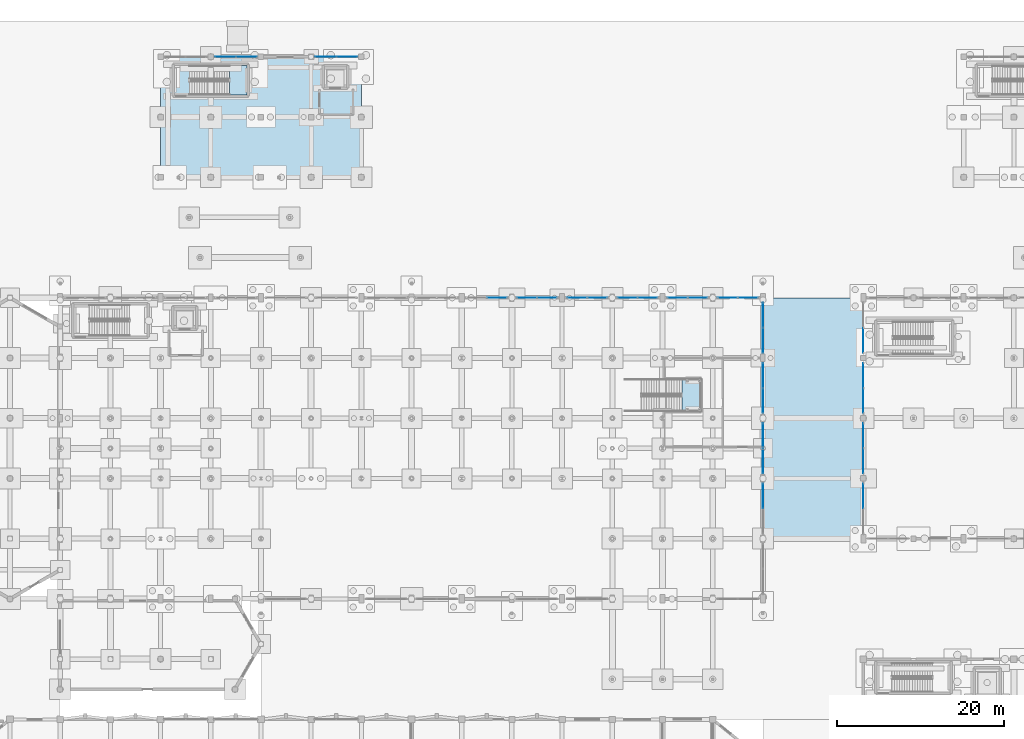
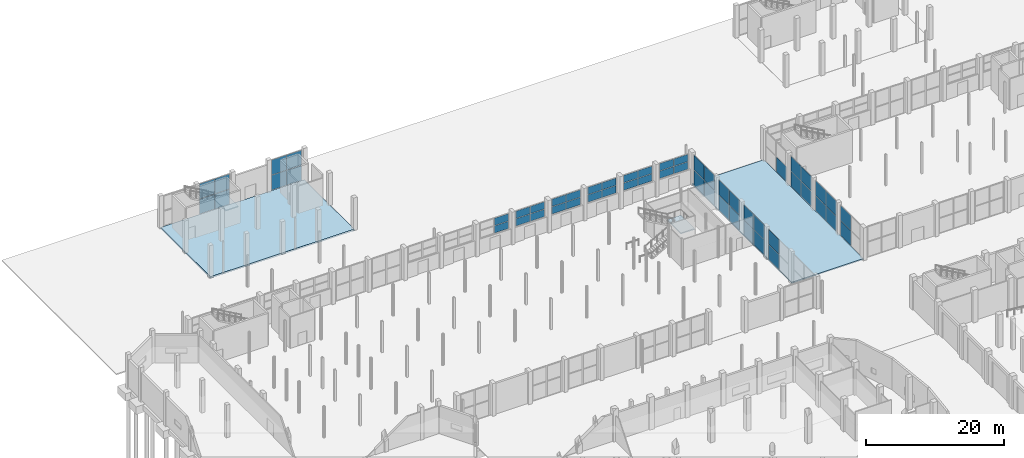
# One storey, part 72 of 103: 55 plates, 4 slabs, 18 elements without a shape of their own.
"""IFC4 building model written with IfcOpenShell, lengths in metres."""

from ifc_helpers import new_model, si_unit, direction, frame, origin, origin_2d, place, context, subcontext, project, spatial, polyline, rectangle, outline, extrude, material, layer, layer_set, type_object, element, aggregate, save


model = new_model("IFC4")

# Units and contexts
model_context = context("Model", 3, precision=1e-05, world=origin(), true_north=direction((0.0, 1.0)))
body_context = subcontext(model_context, "Body", "Model", "MODEL_VIEW")
ifc_project = project(units=[si_unit("LENGTHUNIT", "METRE"), si_unit("AREAUNIT", "SQUARE_METRE"), si_unit("VOLUMEUNIT", "CUBIC_METRE"), si_unit("PLANEANGLEUNIT", "RADIAN"), si_unit("MASSUNIT", "GRAM", prefix="KILO")], contexts=[model_context])

# Site, building, storey
site_placement = place(None, origin())
site = spatial("IfcSite", under=ifc_project, at=site_placement, CompositionType="ELEMENT")
building_placement = place(site_placement, origin())
building = spatial("IfcBuilding", under=site, at=building_placement, Name="Dunvalen Ferry Terminal", CompositionType="ELEMENT")
storey_placement = place(building_placement, origin())
storey = spatial("IfcBuildingStorey", under=building, at=storey_placement, Name="L00", CompositionType="ELEMENT", Elevation=0.0)

# Curtain wall, plates
ifc_material_1 = material(Name="Anodised marine aluminium and solar-control glazing", Category="aluminium")
ifc_layer_1 = layer(ifc_material_1, 0.219970703125, Name="Anodised marine aluminium and solar-control glazing")
ifc_layer_set_1 = layer_set([ifc_layer_1], Name="Anodised marine aluminium and solar-control glazing")
curtain_wall_type_1 = type_object("IfcCurtainWallType", Name="ENV-CW-SYS-01", PredefinedType="NOTDEFINED", material=ifc_layer_set_1)
curtain_wall_1_placement = place(storey_placement, origin())
curtain_wall_1 = element("IfcCurtainWall", 1, at=curtain_wall_1_placement, inside=storey, type_object=curtain_wall_type_1, Name="L00 Curtain Wall CW-V1N-L00-09", PredefinedType="NOTDEFINED")
ifc_material_2 = material(Name="Low-E solar-control laminated double glazing", Category="glass")
ifc_layer_2 = layer(ifc_material_2, 0.028076171875, Name="Low-E solar-control laminated double glazing")
ifc_layer_set_2 = layer_set([ifc_layer_2], Name="Low-E solar-control laminated double glazing")
plate_type = type_object("IfcPlateType", Name="ENV-CW-PNL-1", PredefinedType="CURTAIN_PANEL", material=ifc_layer_set_2)
plate_1_placement = place(storey_placement, frame((64.203857421875, 86.39990234375, 2.76513671875), z_axis=(0.0, 0.0, 1.0), x_axis=(1.0, 0.0, 0.0)))
plate_1 = element("IfcPlate", 2, at=plate_1_placement, type_object=plate_type, Name="CW-01 panel 2.1", PredefinedType="CURTAIN_PANEL", context=body_context, shape_type="SweptSolid", body=[
    extrude(rectangle(XDim=2.342529296875, YDim=0.028076171875, at=origin_2d()), origin(), (0.0, 0.0, 1.0), 1.277587890625),
])
plate_2_placement = place(storey_placement, frame((64.203857421875, 86.39990234375, 4.107421875), z_axis=(0.0, 0.0, 1.0), x_axis=(1.0, 0.0, 0.0)))
plate_2 = element("IfcPlate", 3, at=plate_2_placement, type_object=plate_type, Name="CW-01 panel 2.2", PredefinedType="CURTAIN_PANEL", context=body_context, shape_type="SweptSolid", body=[
    extrude(rectangle(XDim=2.342529296875, YDim=0.028076171875, at=origin_2d()), origin(), (0.0, 0.0, 1.0), 1.277587890625),
])
aggregate(curtain_wall_1, [plate_1, plate_2])

curtain_wall_2_placement = place(storey_placement, origin())
curtain_wall_2 = element("IfcCurtainWall", 4, at=curtain_wall_2_placement, inside=storey, type_object=curtain_wall_type_1, Name="L00 Curtain Wall CW-V1N-L00-10", PredefinedType="NOTDEFINED")
plate_3_placement = place(storey_placement, frame((67.796142578125, 86.39990234375, 2.76513671875), z_axis=(0.0, 0.0, 1.0), x_axis=(1.0, 0.0, 0.0)))
plate_3 = element("IfcPlate", 5, at=plate_3_placement, type_object=plate_type, Name="CW-01 panel 1.1", PredefinedType="CURTAIN_PANEL", context=body_context, shape_type="SweptSolid", body=[
    extrude(rectangle(XDim=2.342529296875, YDim=0.028076171875, at=origin_2d()), origin(), (0.0, 0.0, 1.0), 1.277587890625),
])
plate_4_placement = place(storey_placement, frame((67.796142578125, 86.39990234375, 4.107421875), z_axis=(0.0, 0.0, 1.0), x_axis=(1.0, 0.0, 0.0)))
plate_4 = element("IfcPlate", 6, at=plate_4_placement, type_object=plate_type, Name="CW-01 panel 1.2", PredefinedType="CURTAIN_PANEL", context=body_context, shape_type="SweptSolid", body=[
    extrude(rectangle(XDim=2.342529296875, YDim=0.028076171875, at=origin_2d()), origin(), (0.0, 0.0, 1.0), 1.277587890625),
])
plate_5_placement = place(storey_placement, frame((70.203857421875, 86.39990234375, 2.76513671875), z_axis=(0.0, 0.0, 1.0), x_axis=(1.0, 0.0, 0.0)))
plate_5 = element("IfcPlate", 7, at=plate_5_placement, type_object=plate_type, Name="CW-01 panel 2.1", PredefinedType="CURTAIN_PANEL", context=body_context, shape_type="SweptSolid", body=[
    extrude(rectangle(XDim=2.342529296875, YDim=0.028076171875, at=origin_2d()), origin(), (0.0, 0.0, 1.0), 1.277587890625),
])
plate_6_placement = place(storey_placement, frame((70.203857421875, 86.39990234375, 4.107421875), z_axis=(0.0, 0.0, 1.0), x_axis=(1.0, 0.0, 0.0)))
plate_6 = element("IfcPlate", 8, at=plate_6_placement, type_object=plate_type, Name="CW-01 panel 2.2", PredefinedType="CURTAIN_PANEL", context=body_context, shape_type="SweptSolid", body=[
    extrude(rectangle(XDim=2.342529296875, YDim=0.028076171875, at=origin_2d()), origin(), (0.0, 0.0, 1.0), 1.277587890625),
])
aggregate(curtain_wall_2, [plate_3, plate_4, plate_5, plate_6])

curtain_wall_3_placement = place(storey_placement, origin())
curtain_wall_3 = element("IfcCurtainWall", 9, at=curtain_wall_3_placement, inside=storey, type_object=curtain_wall_type_1, Name="L00 Curtain Wall CW-V1N-L00-11", PredefinedType="NOTDEFINED")
plate_7_placement = place(storey_placement, frame((73.796142578125, 86.39990234375, 2.76513671875), z_axis=(0.0, 0.0, 1.0), x_axis=(1.0, 0.0, 0.0)))
plate_7 = element("IfcPlate", 10, at=plate_7_placement, type_object=plate_type, Name="CW-01 panel 1.1", PredefinedType="CURTAIN_PANEL", context=body_context, shape_type="SweptSolid", body=[
    extrude(rectangle(XDim=2.342529296875, YDim=0.028076171875, at=origin_2d()), origin(), (0.0, 0.0, 1.0), 1.277587890625),
])
plate_8_placement = place(storey_placement, frame((73.796142578125, 86.39990234375, 4.107421875), z_axis=(0.0, 0.0, 1.0), x_axis=(1.0, 0.0, 0.0)))
plate_8 = element("IfcPlate", 11, at=plate_8_placement, type_object=plate_type, Name="CW-01 panel 1.2", PredefinedType="CURTAIN_PANEL", context=body_context, shape_type="SweptSolid", body=[
    extrude(rectangle(XDim=2.342529296875, YDim=0.028076171875, at=origin_2d()), origin(), (0.0, 0.0, 1.0), 1.277587890625),
])
plate_9_placement = place(storey_placement, frame((76.203857421875, 86.39990234375, 2.76513671875), z_axis=(0.0, 0.0, 1.0), x_axis=(1.0, 0.0, 0.0)))
plate_9 = element("IfcPlate", 12, at=plate_9_placement, type_object=plate_type, Name="CW-01 panel 2.1", PredefinedType="CURTAIN_PANEL", context=body_context, shape_type="SweptSolid", body=[
    extrude(rectangle(XDim=2.342529296875, YDim=0.028076171875, at=origin_2d()), origin(), (0.0, 0.0, 1.0), 1.277587890625),
])
plate_10_placement = place(storey_placement, frame((76.203857421875, 86.39990234375, 4.107421875), z_axis=(0.0, 0.0, 1.0), x_axis=(1.0, 0.0, 0.0)))
plate_10 = element("IfcPlate", 13, at=plate_10_placement, type_object=plate_type, Name="CW-01 panel 2.2", PredefinedType="CURTAIN_PANEL", context=body_context, shape_type="SweptSolid", body=[
    extrude(rectangle(XDim=2.342529296875, YDim=0.028076171875, at=origin_2d()), origin(), (0.0, 0.0, 1.0), 1.277587890625),
])
aggregate(curtain_wall_3, [plate_7, plate_8, plate_9, plate_10])

curtain_wall_4_placement = place(storey_placement, origin())
curtain_wall_4 = element("IfcCurtainWall", 14, at=curtain_wall_4_placement, inside=storey, type_object=curtain_wall_type_1, Name="L00 Curtain Wall CW-V1N-L00-12", PredefinedType="NOTDEFINED")
plate_11_placement = place(storey_placement, frame((79.796142578125, 86.39990234375, 2.76513671875), z_axis=(0.0, 0.0, 1.0), x_axis=(1.0, 0.0, 0.0)))
plate_11 = element("IfcPlate", 15, at=plate_11_placement, type_object=plate_type, Name="CW-01 panel 1.1", PredefinedType="CURTAIN_PANEL", context=body_context, shape_type="SweptSolid", body=[
    extrude(rectangle(XDim=2.342529296875, YDim=0.028076171875, at=origin_2d()), origin(), (0.0, 0.0, 1.0), 1.277587890625),
])
plate_12_placement = place(storey_placement, frame((79.796142578125, 86.39990234375, 4.107421875), z_axis=(0.0, 0.0, 1.0), x_axis=(1.0, 0.0, 0.0)))
plate_12 = element("IfcPlate", 16, at=plate_12_placement, type_object=plate_type, Name="CW-01 panel 1.2", PredefinedType="CURTAIN_PANEL", context=body_context, shape_type="SweptSolid", body=[
    extrude(rectangle(XDim=2.342529296875, YDim=0.028076171875, at=origin_2d()), origin(), (0.0, 0.0, 1.0), 1.277587890625),
])
plate_13_placement = place(storey_placement, frame((82.203857421875, 86.39990234375, 2.76513671875), z_axis=(0.0, 0.0, 1.0), x_axis=(1.0, 0.0, 0.0)))
plate_13 = element("IfcPlate", 17, at=plate_13_placement, type_object=plate_type, Name="CW-01 panel 2.1", PredefinedType="CURTAIN_PANEL", context=body_context, shape_type="SweptSolid", body=[
    extrude(rectangle(XDim=2.342529296875, YDim=0.028076171875, at=origin_2d()), origin(), (0.0, 0.0, 1.0), 1.277587890625),
])
plate_14_placement = place(storey_placement, frame((82.203857421875, 86.39990234375, 4.107421875), z_axis=(0.0, 0.0, 1.0), x_axis=(1.0, 0.0, 0.0)))
plate_14 = element("IfcPlate", 18, at=plate_14_placement, type_object=plate_type, Name="CW-01 panel 2.2", PredefinedType="CURTAIN_PANEL", context=body_context, shape_type="SweptSolid", body=[
    extrude(rectangle(XDim=2.342529296875, YDim=0.028076171875, at=origin_2d()), origin(), (0.0, 0.0, 1.0), 1.277587890625),
])
aggregate(curtain_wall_4, [plate_11, plate_12, plate_13, plate_14])

curtain_wall_5_placement = place(storey_placement, origin())
curtain_wall_5 = element("IfcCurtainWall", 19, at=curtain_wall_5_placement, inside=storey, type_object=curtain_wall_type_1, Name="L00 Curtain Wall CW-V1N-L00-13", PredefinedType="NOTDEFINED")
plate_15_placement = place(storey_placement, frame((85.796142578125, 86.39990234375, 2.76513671875), z_axis=(0.0, 0.0, 1.0), x_axis=(1.0, 0.0, 0.0)))
plate_15 = element("IfcPlate", 20, at=plate_15_placement, type_object=plate_type, Name="CW-01 panel 1.1", PredefinedType="CURTAIN_PANEL", context=body_context, shape_type="SweptSolid", body=[
    extrude(rectangle(XDim=2.342529296875, YDim=0.028076171875, at=origin_2d()), origin(), (0.0, 0.0, 1.0), 1.277587890625),
])
plate_16_placement = place(storey_placement, frame((85.796142578125, 86.39990234375, 4.107421875), z_axis=(0.0, 0.0, 1.0), x_axis=(1.0, 0.0, 0.0)))
plate_16 = element("IfcPlate", 21, at=plate_16_placement, type_object=plate_type, Name="CW-01 panel 1.2", PredefinedType="CURTAIN_PANEL", context=body_context, shape_type="SweptSolid", body=[
    extrude(rectangle(XDim=2.342529296875, YDim=0.028076171875, at=origin_2d()), origin(), (0.0, 0.0, 1.0), 1.277587890625),
])
plate_17_placement = place(storey_placement, frame((88.203857421875, 86.39990234375, 2.76513671875), z_axis=(0.0, 0.0, 1.0), x_axis=(1.0, 0.0, 0.0)))
plate_17 = element("IfcPlate", 22, at=plate_17_placement, type_object=plate_type, Name="CW-01 panel 2.1", PredefinedType="CURTAIN_PANEL", context=body_context, shape_type="SweptSolid", body=[
    extrude(rectangle(XDim=2.342529296875, YDim=0.028076171875, at=origin_2d()), origin(), (0.0, 0.0, 1.0), 1.277587890625),
])
plate_18_placement = place(storey_placement, frame((88.203857421875, 86.39990234375, 4.107421875), z_axis=(0.0, 0.0, 1.0), x_axis=(1.0, 0.0, 0.0)))
plate_18 = element("IfcPlate", 23, at=plate_18_placement, type_object=plate_type, Name="CW-01 panel 2.2", PredefinedType="CURTAIN_PANEL", context=body_context, shape_type="SweptSolid", body=[
    extrude(rectangle(XDim=2.342529296875, YDim=0.028076171875, at=origin_2d()), origin(), (0.0, 0.0, 1.0), 1.277587890625),
])
aggregate(curtain_wall_5, [plate_15, plate_16, plate_17, plate_18])

curtain_wall_6_placement = place(storey_placement, origin())
curtain_wall_6 = element("IfcCurtainWall", 24, at=curtain_wall_6_placement, inside=storey, type_object=curtain_wall_type_1, Name="L00 Curtain Wall CW-V1N-L00-14", PredefinedType="NOTDEFINED")
plate_19_placement = place(storey_placement, frame((91.796142578125, 86.39990234375, 2.76513671875), z_axis=(0.0, 0.0, 1.0), x_axis=(1.0, 0.0, 0.0)))
plate_19 = element("IfcPlate", 25, at=plate_19_placement, type_object=plate_type, Name="CW-01 panel 1.1", PredefinedType="CURTAIN_PANEL", context=body_context, shape_type="SweptSolid", body=[
    extrude(rectangle(XDim=2.342529296875, YDim=0.028076171875, at=origin_2d()), origin(), (0.0, 0.0, 1.0), 1.277587890625),
])
plate_20_placement = place(storey_placement, frame((91.796142578125, 86.39990234375, 4.107421875), z_axis=(0.0, 0.0, 1.0), x_axis=(1.0, 0.0, 0.0)))
plate_20 = element("IfcPlate", 26, at=plate_20_placement, type_object=plate_type, Name="CW-01 panel 1.2", PredefinedType="CURTAIN_PANEL", context=body_context, shape_type="SweptSolid", body=[
    extrude(rectangle(XDim=2.342529296875, YDim=0.028076171875, at=origin_2d()), origin(), (0.0, 0.0, 1.0), 1.277587890625),
])
plate_21_placement = place(storey_placement, frame((94.203857421875, 86.39990234375, 2.76513671875), z_axis=(0.0, 0.0, 1.0), x_axis=(1.0, 0.0, 0.0)))
plate_21 = element("IfcPlate", 27, at=plate_21_placement, type_object=plate_type, Name="CW-01 panel 2.1", PredefinedType="CURTAIN_PANEL", context=body_context, shape_type="SweptSolid", body=[
    extrude(rectangle(XDim=2.342529296875, YDim=0.028076171875, at=origin_2d()), origin(), (0.0, 0.0, 1.0), 1.277587890625),
])
plate_22_placement = place(storey_placement, frame((94.203857421875, 86.39990234375, 4.107421875), z_axis=(0.0, 0.0, 1.0), x_axis=(1.0, 0.0, 0.0)))
plate_22 = element("IfcPlate", 28, at=plate_22_placement, type_object=plate_type, Name="CW-01 panel 2.2", PredefinedType="CURTAIN_PANEL", context=body_context, shape_type="SweptSolid", body=[
    extrude(rectangle(XDim=2.342529296875, YDim=0.028076171875, at=origin_2d()), origin(), (0.0, 0.0, 1.0), 1.277587890625),
])
aggregate(curtain_wall_6, [plate_19, plate_20, plate_21, plate_22])

ifc_layer_3 = layer(ifc_material_1, 0.219970703125, Name="Anodised marine aluminium and solar-control glazing")
ifc_layer_set_3 = layer_set([ifc_layer_3], Name="Anodised marine aluminium and solar-control glazing")
curtain_wall_type_2 = type_object("IfcCurtainWallType", Name="ENV-CW-SYS-03", PredefinedType="NOTDEFINED", material=ifc_layer_set_3)
curtain_wall_7_placement = place(storey_placement, origin())
curtain_wall_7 = element("IfcCurtainWall", 29, at=curtain_wall_7_placement, inside=storey, type_object=curtain_wall_type_2, Name="L00 Curtain Wall CW-V1E-L00-02", PredefinedType="NOTDEFINED")
plate_23_placement = place(storey_placement, frame((96.0, 62.703857421875, 0.06494140625), z_axis=(0.0, 0.0, 1.0), x_axis=(0.0, 1.0, 0.0)))
plate_23 = element("IfcPlate", 30, at=plate_23_placement, type_object=plate_type, Name="CW-03 panel 2.1", PredefinedType="CURTAIN_PANEL", context=body_context, shape_type="SweptSolid", body=[
    extrude(rectangle(XDim=2.9423828125, YDim=0.028076171875, at=origin_2d()), origin(), (0.0, 0.0, 1.0), 2.62744140625),
])
plate_24_placement = place(storey_placement, frame((96.0, 62.703857421875, 2.757568359375), z_axis=(0.0, 0.0, 1.0), x_axis=(0.0, 1.0, 0.0)))
plate_24 = element("IfcPlate", 31, at=plate_24_placement, type_object=plate_type, Name="CW-03 panel 2.2", PredefinedType="CURTAIN_PANEL", context=body_context, shape_type="SweptSolid", body=[
    extrude(rectangle(XDim=2.9423828125, YDim=0.028076171875, at=origin_2d()), origin(), (0.0, 0.0, 1.0), 2.62744140625),
])
aggregate(curtain_wall_7, [plate_23, plate_24])

curtain_wall_8_placement = place(storey_placement, origin())
curtain_wall_8 = element("IfcCurtainWall", 32, at=curtain_wall_8_placement, inside=storey, type_object=curtain_wall_type_2, Name="L00 Curtain Wall CW-V1E-L00-03", PredefinedType="NOTDEFINED")
plate_25_placement = place(storey_placement, frame((96.0, 66.896240234375, 0.06494140625), z_axis=(0.0, 0.0, 1.0), x_axis=(0.0, 1.0, 0.0)))
plate_25 = element("IfcPlate", 33, at=plate_25_placement, type_object=plate_type, Name="CW-03 panel 1.1", PredefinedType="CURTAIN_PANEL", context=body_context, shape_type="SweptSolid", body=[
    extrude(rectangle(XDim=2.9423828125, YDim=0.028076171875, at=origin_2d()), origin(), (0.0, 0.0, 1.0), 2.62744140625),
])
plate_26_placement = place(storey_placement, frame((96.0, 66.896240234375, 2.757568359375), z_axis=(0.0, 0.0, 1.0), x_axis=(0.0, 1.0, 0.0)))
plate_26 = element("IfcPlate", 34, at=plate_26_placement, type_object=plate_type, Name="CW-03 panel 1.2", PredefinedType="CURTAIN_PANEL", context=body_context, shape_type="SweptSolid", body=[
    extrude(rectangle(XDim=2.9423828125, YDim=0.028076171875, at=origin_2d()), origin(), (0.0, 0.0, 1.0), 2.62744140625),
])
plate_27_placement = place(storey_placement, frame((96.0, 69.90380859375, 0.06494140625), z_axis=(0.0, 0.0, 1.0), x_axis=(0.0, 1.0, 0.0)))
plate_27 = element("IfcPlate", 35, at=plate_27_placement, type_object=plate_type, Name="CW-03 panel 2.1", PredefinedType="CURTAIN_PANEL", context=body_context, shape_type="SweptSolid", body=[
    extrude(rectangle(XDim=2.9423828125, YDim=0.028076171875, at=origin_2d()), origin(), (0.0, 0.0, 1.0), 2.62744140625),
])
plate_28_placement = place(storey_placement, frame((96.0, 69.90380859375, 2.757568359375), z_axis=(0.0, 0.0, 1.0), x_axis=(0.0, 1.0, 0.0)))
plate_28 = element("IfcPlate", 36, at=plate_28_placement, type_object=plate_type, Name="CW-03 panel 2.2", PredefinedType="CURTAIN_PANEL", context=body_context, shape_type="SweptSolid", body=[
    extrude(rectangle(XDim=2.9423828125, YDim=0.028076171875, at=origin_2d()), origin(), (0.0, 0.0, 1.0), 2.62744140625),
])
aggregate(curtain_wall_8, [plate_25, plate_26, plate_27, plate_28])

curtain_wall_9_placement = place(storey_placement, origin())
curtain_wall_9 = element("IfcCurtainWall", 37, at=curtain_wall_9_placement, inside=storey, type_object=curtain_wall_type_2, Name="L00 Curtain Wall CW-V1E-L00-04", PredefinedType="NOTDEFINED")
plate_29_placement = place(storey_placement, frame((96.0, 74.09619140625, 0.06494140625), z_axis=(0.0, 0.0, 1.0), x_axis=(0.0, 1.0, 0.0)))
plate_29 = element("IfcPlate", 38, at=plate_29_placement, type_object=plate_type, Name="CW-03 panel 1.1", PredefinedType="CURTAIN_PANEL", context=body_context, shape_type="SweptSolid", body=[
    extrude(rectangle(XDim=2.9423828125, YDim=0.028076171875, at=origin_2d()), origin(), (0.0, 0.0, 1.0), 2.62744140625),
])
plate_30_placement = place(storey_placement, frame((96.0, 74.09619140625, 2.757568359375), z_axis=(0.0, 0.0, 1.0), x_axis=(0.0, 1.0, 0.0)))
plate_30 = element("IfcPlate", 39, at=plate_30_placement, type_object=plate_type, Name="CW-03 panel 1.2", PredefinedType="CURTAIN_PANEL", context=body_context, shape_type="SweptSolid", body=[
    extrude(rectangle(XDim=2.9423828125, YDim=0.028076171875, at=origin_2d()), origin(), (0.0, 0.0, 1.0), 2.62744140625),
])
plate_31_placement = place(storey_placement, frame((96.0, 77.103759765625, 0.06494140625), z_axis=(0.0, 0.0, 1.0), x_axis=(0.0, 1.0, 0.0)))
plate_31 = element("IfcPlate", 40, at=plate_31_placement, type_object=plate_type, Name="CW-03 panel 2.1", PredefinedType="CURTAIN_PANEL", context=body_context, shape_type="SweptSolid", body=[
    extrude(rectangle(XDim=2.9423828125, YDim=0.028076171875, at=origin_2d()), origin(), (0.0, 0.0, 1.0), 2.62744140625),
])
plate_32_placement = place(storey_placement, frame((96.0, 77.103759765625, 2.757568359375), z_axis=(0.0, 0.0, 1.0), x_axis=(0.0, 1.0, 0.0)))
plate_32 = element("IfcPlate", 41, at=plate_32_placement, type_object=plate_type, Name="CW-03 panel 2.2", PredefinedType="CURTAIN_PANEL", context=body_context, shape_type="SweptSolid", body=[
    extrude(rectangle(XDim=2.9423828125, YDim=0.028076171875, at=origin_2d()), origin(), (0.0, 0.0, 1.0), 2.62744140625),
])
aggregate(curtain_wall_9, [plate_29, plate_30, plate_31, plate_32])

curtain_wall_10_placement = place(storey_placement, origin())
curtain_wall_10 = element("IfcCurtainWall", 42, at=curtain_wall_10_placement, inside=storey, type_object=curtain_wall_type_2, Name="L00 Curtain Wall CW-V1E-L00-05", PredefinedType="NOTDEFINED")
plate_33_placement = place(storey_placement, frame((96.0, 81.296142578125, 0.06494140625), z_axis=(0.0, 0.0, 1.0), x_axis=(0.0, 1.0, 0.0)))
plate_33 = element("IfcPlate", 43, at=plate_33_placement, type_object=plate_type, Name="CW-03 panel 1.1", PredefinedType="CURTAIN_PANEL", context=body_context, shape_type="SweptSolid", body=[
    extrude(rectangle(XDim=2.9423828125, YDim=0.028076171875, at=origin_2d()), origin(), (0.0, 0.0, 1.0), 2.62744140625),
])
plate_34_placement = place(storey_placement, frame((96.0, 81.296142578125, 2.757568359375), z_axis=(0.0, 0.0, 1.0), x_axis=(0.0, 1.0, 0.0)))
plate_34 = element("IfcPlate", 44, at=plate_34_placement, type_object=plate_type, Name="CW-03 panel 1.2", PredefinedType="CURTAIN_PANEL", context=body_context, shape_type="SweptSolid", body=[
    extrude(rectangle(XDim=2.9423828125, YDim=0.028076171875, at=origin_2d()), origin(), (0.0, 0.0, 1.0), 2.62744140625),
])
plate_35_placement = place(storey_placement, frame((96.0, 84.3037109375, 0.06494140625), z_axis=(0.0, 0.0, 1.0), x_axis=(0.0, 1.0, 0.0)))
plate_35 = element("IfcPlate", 45, at=plate_35_placement, type_object=plate_type, Name="CW-03 panel 2.1", PredefinedType="CURTAIN_PANEL", context=body_context, shape_type="SweptSolid", body=[
    extrude(rectangle(XDim=2.9423828125, YDim=0.028076171875, at=origin_2d()), origin(), (0.0, 0.0, 1.0), 2.62744140625),
])
plate_36_placement = place(storey_placement, frame((96.0, 84.3037109375, 2.757568359375), z_axis=(0.0, 0.0, 1.0), x_axis=(0.0, 1.0, 0.0)))
plate_36 = element("IfcPlate", 46, at=plate_36_placement, type_object=plate_type, Name="CW-03 panel 2.2", PredefinedType="CURTAIN_PANEL", context=body_context, shape_type="SweptSolid", body=[
    extrude(rectangle(XDim=2.9423828125, YDim=0.028076171875, at=origin_2d()), origin(), (0.0, 0.0, 1.0), 2.62744140625),
])
aggregate(curtain_wall_10, [plate_33, plate_34, plate_35, plate_36])

curtain_wall_11_placement = place(storey_placement, origin())
curtain_wall_11 = element("IfcCurtainWall", 47, at=curtain_wall_11_placement, inside=storey, type_object=curtain_wall_type_2, Name="L00 Curtain Wall CW-V2W-L00-1", PredefinedType="NOTDEFINED")
plate_37_placement = place(storey_placement, frame((108.0, 62.703857421875, 0.06494140625), z_axis=(0.0, 0.0, 1.0), x_axis=(0.0, 1.0, 0.0)))
plate_37 = element("IfcPlate", 48, at=plate_37_placement, type_object=plate_type, Name="CW-03 panel 2.1", PredefinedType="CURTAIN_PANEL", context=body_context, shape_type="SweptSolid", body=[
    extrude(rectangle(XDim=2.9423828125, YDim=0.028076171875, at=origin_2d()), origin(), (0.0, 0.0, 1.0), 2.62744140625),
])
plate_38_placement = place(storey_placement, frame((108.0, 62.703857421875, 2.757568359375), z_axis=(0.0, 0.0, 1.0), x_axis=(0.0, 1.0, 0.0)))
plate_38 = element("IfcPlate", 49, at=plate_38_placement, type_object=plate_type, Name="CW-03 panel 2.2", PredefinedType="CURTAIN_PANEL", context=body_context, shape_type="SweptSolid", body=[
    extrude(rectangle(XDim=2.9423828125, YDim=0.028076171875, at=origin_2d()), origin(), (0.0, 0.0, 1.0), 2.62744140625),
])
aggregate(curtain_wall_11, [plate_37, plate_38])

curtain_wall_12_placement = place(storey_placement, origin())
curtain_wall_12 = element("IfcCurtainWall", 50, at=curtain_wall_12_placement, inside=storey, type_object=curtain_wall_type_2, Name="L00 Curtain Wall CW-V2W-L00-2", PredefinedType="NOTDEFINED")
plate_39_placement = place(storey_placement, frame((108.0, 66.896240234375, 0.06494140625), z_axis=(0.0, 0.0, 1.0), x_axis=(0.0, 1.0, 0.0)))
plate_39 = element("IfcPlate", 51, at=plate_39_placement, type_object=plate_type, Name="CW-03 panel 1.1", PredefinedType="CURTAIN_PANEL", context=body_context, shape_type="SweptSolid", body=[
    extrude(rectangle(XDim=2.9423828125, YDim=0.028076171875, at=origin_2d()), origin(), (0.0, 0.0, 1.0), 2.62744140625),
])
plate_40_placement = place(storey_placement, frame((108.0, 66.896240234375, 2.757568359375), z_axis=(0.0, 0.0, 1.0), x_axis=(0.0, 1.0, 0.0)))
plate_40 = element("IfcPlate", 52, at=plate_40_placement, type_object=plate_type, Name="CW-03 panel 1.2", PredefinedType="CURTAIN_PANEL", context=body_context, shape_type="SweptSolid", body=[
    extrude(rectangle(XDim=2.9423828125, YDim=0.028076171875, at=origin_2d()), origin(), (0.0, 0.0, 1.0), 2.62744140625),
])
plate_41_placement = place(storey_placement, frame((108.0, 69.90380859375, 0.06494140625), z_axis=(0.0, 0.0, 1.0), x_axis=(0.0, 1.0, 0.0)))
plate_41 = element("IfcPlate", 53, at=plate_41_placement, type_object=plate_type, Name="CW-03 panel 2.1", PredefinedType="CURTAIN_PANEL", context=body_context, shape_type="SweptSolid", body=[
    extrude(rectangle(XDim=2.9423828125, YDim=0.028076171875, at=origin_2d()), origin(), (0.0, 0.0, 1.0), 2.62744140625),
])
plate_42_placement = place(storey_placement, frame((108.0, 69.90380859375, 2.757568359375), z_axis=(0.0, 0.0, 1.0), x_axis=(0.0, 1.0, 0.0)))
plate_42 = element("IfcPlate", 54, at=plate_42_placement, type_object=plate_type, Name="CW-03 panel 2.2", PredefinedType="CURTAIN_PANEL", context=body_context, shape_type="SweptSolid", body=[
    extrude(rectangle(XDim=2.9423828125, YDim=0.028076171875, at=origin_2d()), origin(), (0.0, 0.0, 1.0), 2.62744140625),
])
aggregate(curtain_wall_12, [plate_39, plate_40, plate_41, plate_42])

curtain_wall_13_placement = place(storey_placement, origin())
curtain_wall_13 = element("IfcCurtainWall", 55, at=curtain_wall_13_placement, inside=storey, type_object=curtain_wall_type_2, Name="L00 Curtain Wall CW-V2W-L00-3", PredefinedType="NOTDEFINED")
plate_43_placement = place(storey_placement, frame((108.0, 74.09619140625, 0.06494140625), z_axis=(0.0, 0.0, 1.0), x_axis=(0.0, 1.0, 0.0)))
plate_43 = element("IfcPlate", 56, at=plate_43_placement, type_object=plate_type, Name="CW-03 panel 1.1", PredefinedType="CURTAIN_PANEL", context=body_context, shape_type="SweptSolid", body=[
    extrude(rectangle(XDim=2.9423828125, YDim=0.028076171875, at=origin_2d()), origin(), (0.0, 0.0, 1.0), 2.62744140625),
])
plate_44_placement = place(storey_placement, frame((108.0, 74.09619140625, 2.757568359375), z_axis=(0.0, 0.0, 1.0), x_axis=(0.0, 1.0, 0.0)))
plate_44 = element("IfcPlate", 57, at=plate_44_placement, type_object=plate_type, Name="CW-03 panel 1.2", PredefinedType="CURTAIN_PANEL", context=body_context, shape_type="SweptSolid", body=[
    extrude(rectangle(XDim=2.9423828125, YDim=0.028076171875, at=origin_2d()), origin(), (0.0, 0.0, 1.0), 2.62744140625),
])
plate_45_placement = place(storey_placement, frame((108.0, 77.103759765625, 0.06494140625), z_axis=(0.0, 0.0, 1.0), x_axis=(0.0, 1.0, 0.0)))
plate_45 = element("IfcPlate", 58, at=plate_45_placement, type_object=plate_type, Name="CW-03 panel 2.1", PredefinedType="CURTAIN_PANEL", context=body_context, shape_type="SweptSolid", body=[
    extrude(rectangle(XDim=2.9423828125, YDim=0.028076171875, at=origin_2d()), origin(), (0.0, 0.0, 1.0), 2.62744140625),
])
plate_46_placement = place(storey_placement, frame((108.0, 77.103759765625, 2.757568359375), z_axis=(0.0, 0.0, 1.0), x_axis=(0.0, 1.0, 0.0)))
plate_46 = element("IfcPlate", 59, at=plate_46_placement, type_object=plate_type, Name="CW-03 panel 2.2", PredefinedType="CURTAIN_PANEL", context=body_context, shape_type="SweptSolid", body=[
    extrude(rectangle(XDim=2.9423828125, YDim=0.028076171875, at=origin_2d()), origin(), (0.0, 0.0, 1.0), 2.62744140625),
])
aggregate(curtain_wall_13, [plate_43, plate_44, plate_45, plate_46])

# Curtain wall, plate
curtain_wall_14_placement = place(storey_placement, origin())
curtain_wall_14 = element("IfcCurtainWall", 60, at=curtain_wall_14_placement, inside=storey, type_object=curtain_wall_type_2, Name="L00 Curtain Wall CW-V2W-L00-4", PredefinedType="NOTDEFINED")
plate_47_placement = place(storey_placement, frame((108.0, 81.296142578125, 0.06494140625), z_axis=(0.0, 0.0, 1.0), x_axis=(0.0, 1.0, 0.0)))
plate_47 = element("IfcPlate", 61, at=plate_47_placement, type_object=plate_type, Name="CW-03 panel 1.1", PredefinedType="CURTAIN_PANEL", context=body_context, shape_type="SweptSolid", body=[
    extrude(rectangle(XDim=2.9423828125, YDim=0.028076171875, at=origin_2d()), origin(), (0.0, 0.0, 1.0), 2.62744140625),
])
aggregate(curtain_wall_14, [plate_47])

# Curtain wall, plates
ifc_layer_4 = layer(ifc_material_1, 0.159912109375, Name="Anodised marine aluminium and solar-control glazing")
ifc_layer_set_4 = layer_set([ifc_layer_4], Name="Anodised marine aluminium and solar-control glazing")
curtain_wall_type_3 = type_object("IfcCurtainWallType", Name="ENV-CW-SYS-09", PredefinedType="NOTDEFINED", material=ifc_layer_set_4)
curtain_wall_15_placement = place(storey_placement, origin())
curtain_wall_15 = element("IfcCurtainWall", 62, at=curtain_wall_15_placement, inside=storey, type_object=curtain_wall_type_3, Name="L00 Curtain Wall CW-BRT1-N-L00-2", PredefinedType="NOTDEFINED")
plate_48_placement = place(storey_placement, frame((31.739990234375, 115.199951171875, 0.06005859375), z_axis=(0.0, 0.0, 1.0), x_axis=(1.0, 0.0, 0.0)))
plate_48 = element("IfcPlate", 63, at=plate_48_placement, type_object=plate_type, Name="CW-09 panel 1.1", PredefinedType="CURTAIN_PANEL", context=body_context, shape_type="SweptSolid", body=[
    extrude(rectangle(XDim=2.4599609375, YDim=0.028076171875, at=origin_2d()), origin(), (0.0, 0.0, 1.0), 2.635009765625),
])
plate_49_placement = place(storey_placement, frame((31.739990234375, 115.199951171875, 2.7548828125), z_axis=(0.0, 0.0, 1.0), x_axis=(1.0, 0.0, 0.0)))
plate_49 = element("IfcPlate", 64, at=plate_49_placement, type_object=plate_type, Name="CW-09 panel 1.2", PredefinedType="CURTAIN_PANEL", context=body_context, shape_type="SweptSolid", body=[
    extrude(rectangle(XDim=2.4599609375, YDim=0.028076171875, at=origin_2d()), origin(), (0.0, 0.0, 1.0), 2.635009765625),
])
plate_50_placement = place(storey_placement, frame((34.260009765625, 115.199951171875, 0.06005859375), z_axis=(0.0, 0.0, 1.0), x_axis=(1.0, 0.0, 0.0)))
plate_50 = element("IfcPlate", 65, at=plate_50_placement, type_object=plate_type, Name="CW-09 panel 2.1", PredefinedType="CURTAIN_PANEL", context=body_context, shape_type="SweptSolid", body=[
    extrude(rectangle(XDim=2.4599609375, YDim=0.028076171875, at=origin_2d()), origin(), (0.0, 0.0, 1.0), 2.635009765625),
])
plate_51_placement = place(storey_placement, frame((34.260009765625, 115.199951171875, 2.7548828125), z_axis=(0.0, 0.0, 1.0), x_axis=(1.0, 0.0, 0.0)))
plate_51 = element("IfcPlate", 66, at=plate_51_placement, type_object=plate_type, Name="CW-09 panel 2.2", PredefinedType="CURTAIN_PANEL", context=body_context, shape_type="SweptSolid", body=[
    extrude(rectangle(XDim=2.4599609375, YDim=0.028076171875, at=origin_2d()), origin(), (0.0, 0.0, 1.0), 2.635009765625),
])
aggregate(curtain_wall_15, [plate_48, plate_49, plate_50, plate_51])

curtain_wall_16_placement = place(storey_placement, origin())
curtain_wall_16 = element("IfcCurtainWall", 67, at=curtain_wall_16_placement, inside=storey, type_object=curtain_wall_type_3, Name="L00 Curtain Wall CW-BRT1-N-L00-4", PredefinedType="NOTDEFINED")
plate_52_placement = place(storey_placement, frame((43.739990234375, 115.199951171875, 0.06005859375), z_axis=(0.0, 0.0, 1.0), x_axis=(1.0, 0.0, 0.0)))
plate_52 = element("IfcPlate", 68, at=plate_52_placement, type_object=plate_type, Name="CW-09 panel 1.1", PredefinedType="CURTAIN_PANEL", context=body_context, shape_type="SweptSolid", body=[
    extrude(rectangle(XDim=2.4599609375, YDim=0.028076171875, at=origin_2d()), origin(), (0.0, 0.0, 1.0), 2.635009765625),
])
plate_53_placement = place(storey_placement, frame((43.739990234375, 115.199951171875, 2.7548828125), z_axis=(0.0, 0.0, 1.0), x_axis=(1.0, 0.0, 0.0)))
plate_53 = element("IfcPlate", 69, at=plate_53_placement, type_object=plate_type, Name="CW-09 panel 1.2", PredefinedType="CURTAIN_PANEL", context=body_context, shape_type="SweptSolid", body=[
    extrude(rectangle(XDim=2.4599609375, YDim=0.028076171875, at=origin_2d()), origin(), (0.0, 0.0, 1.0), 2.635009765625),
])
plate_54_placement = place(storey_placement, frame((46.260009765625, 115.199951171875, 0.06005859375), z_axis=(0.0, 0.0, 1.0), x_axis=(1.0, 0.0, 0.0)))
plate_54 = element("IfcPlate", 70, at=plate_54_placement, type_object=plate_type, Name="CW-09 panel 2.1", PredefinedType="CURTAIN_PANEL", context=body_context, shape_type="SweptSolid", body=[
    extrude(rectangle(XDim=2.4599609375, YDim=0.028076171875, at=origin_2d()), origin(), (0.0, 0.0, 1.0), 2.635009765625),
])
plate_55_placement = place(storey_placement, frame((46.260009765625, 115.199951171875, 2.7548828125), z_axis=(0.0, 0.0, 1.0), x_axis=(1.0, 0.0, 0.0)))
plate_55 = element("IfcPlate", 71, at=plate_55_placement, type_object=plate_type, Name="CW-09 panel 2.2", PredefinedType="CURTAIN_PANEL", context=body_context, shape_type="SweptSolid", body=[
    extrude(rectangle(XDim=2.4599609375, YDim=0.028076171875, at=origin_2d()), origin(), (0.0, 0.0, 1.0), 2.635009765625),
])
aggregate(curtain_wall_16, [plate_52, plate_53, plate_54, plate_55])

# Stair, slab
ifc_material_3 = material(Name="Concrete C35/45", Category="concrete")
stair_type_1 = type_object("IfcStairType", Name="INT-ST-DLG-06", PredefinedType="HALF_TURN_STAIR", material=ifc_material_3)
stair_1_placement = place(storey_placement, origin())
stair_1 = element("IfcStair", 72, at=stair_1_placement, inside=storey, type_object=stair_type_1, Name="L00 Berth 1 Pavilion Escape Stair 11", PredefinedType="HALF_TURN_STAIR")
ifc_layer_5 = layer(ifc_material_3, 0.199951171875, Name="Concrete C35/45")
ifc_layer_set_5 = layer_set([ifc_layer_5], Name="Concrete C35/45")
slab_type_1 = type_object("IfcSlabType", Name="INT-SLB-LND200", PredefinedType="LANDING", material=ifc_layer_set_5)
slab_1_placement = place(storey_placement, frame((0.0, 0.0, 2.679931640625)))
slab_1 = element("IfcSlab", 73, at=slab_1_placement, type_object=slab_type_1, Name="ST11 landing 1", PredefinedType="LANDING", context=body_context, shape_type="SweptSolid", body=[
    extrude(outline(polyline([(32.25, 110.64990234375), (34.35009765625, 110.64990234375), (34.35009765625, 114.14990234375), (32.25, 114.14990234375), (32.25, 110.64990234375)])), origin(), (0.0, 0.0, 1.0), 0.199951171875),
])
aggregate(stair_1, [slab_1])

stair_type_2 = type_object("IfcStairType", Name="INT-ST-DLG-09", PredefinedType="HALF_TURN_STAIR", material=ifc_material_3)
stair_2_placement = place(storey_placement, origin())
stair_2 = element("IfcStair", 74, at=stair_2_placement, inside=storey, type_object=stair_type_2, Name="L00 Departure Concourse Feature Stair 8", PredefinedType="HALF_TURN_STAIR")
ifc_material_4 = material(Name="Concrete C40/50", Category="concrete")
ifc_layer_6 = layer(ifc_material_4, 0.219970703125, Name="Concrete C40/50")
ifc_layer_set_6 = layer_set([ifc_layer_6], Name="Concrete C40/50")
slab_type_2 = type_object("IfcSlabType", Name="INT-SLB-LND220", PredefinedType="LANDING", material=ifc_layer_set_6)
slab_2_placement = place(storey_placement, frame((0.0, 0.0, 2.679931640625)))
slab_2 = element("IfcSlab", 75, at=slab_2_placement, type_object=slab_type_2, Name="ST8 landing 1", PredefinedType="LANDING", context=body_context, shape_type="SweptSolid", body=[
    extrude(outline(polyline([(86.300048828125, 72.800048828125), (88.60009765625, 72.800048828125), (88.60009765625, 76.699951171875), (86.300048828125, 76.699951171875), (86.300048828125, 72.800048828125)])), origin(), (0.0, 0.0, 1.0), 0.199951171875),
])
aggregate(stair_2, [slab_2])

# Slabs
ifc_layer_7 = layer(ifc_material_4, 0.280029296875, Name="Concrete C40/50")
ifc_layer_set_7 = layer_set([ifc_layer_7], Name="Concrete C40/50")
slab_type_3 = type_object("IfcSlabType", Name="STR-SLB-FLR280", PredefinedType="FLOOR", material=ifc_layer_set_7)
slab_3_placement = place(storey_placement, frame((0.0, 0.0, -0.280029296875)))
element("IfcSlab", 76, at=slab_3_placement, inside=storey, type_object=slab_type_3, Name="L00 Berth Pavilion 1 Floor Slab", PredefinedType="FLOOR", context=body_context, shape_type="SweptSolid", body=[
    extrude(outline(polyline([(24.0, 100.800048828125), (48.0, 100.800048828125), (48.0, 115.199951171875), (24.0, 115.199951171875), (24.0, 100.800048828125)])), origin(), (0.0, 0.0, 1.0), 0.280029296875),
])
ifc_layer_8 = layer(ifc_material_4, 0.199951171875, Name="Concrete C40/50")
ifc_layer_set_8 = layer_set([ifc_layer_8], Name="Concrete C40/50")
slab_type_4 = type_object("IfcSlabType", Name="STR-SLB-PAV200", PredefinedType="FLOOR", material=ifc_layer_set_8)
slab_4_placement = place(storey_placement, frame((0.0, 0.0, -0.199951171875)))
element("IfcSlab", 77, at=slab_4_placement, inside=storey, type_object=slab_type_4, Name="L00 External Waterfront Paving PASSAGE-N 1", PredefinedType="FLOOR", context=body_context, shape_type="SweptSolid", body=[
    extrude(outline(polyline([(107.989990234375, 57.60009765625), (107.989990234375, 86.3798828125), (96.010009765625, 86.3798828125), (96.010009765625, 57.60009765625), (107.989990234375, 57.60009765625)])), origin(), (0.0, 0.0, 1.0), 0.199951171875),
])

save(model, "model.ifc")
